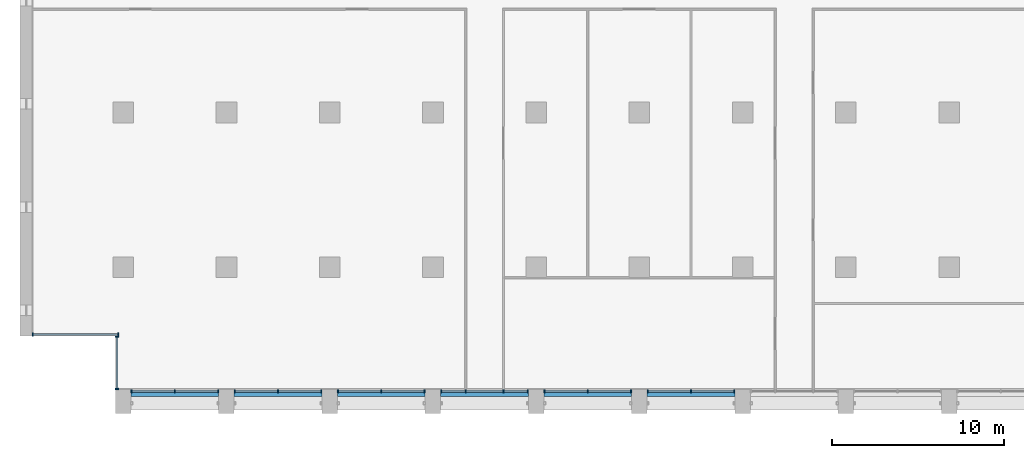
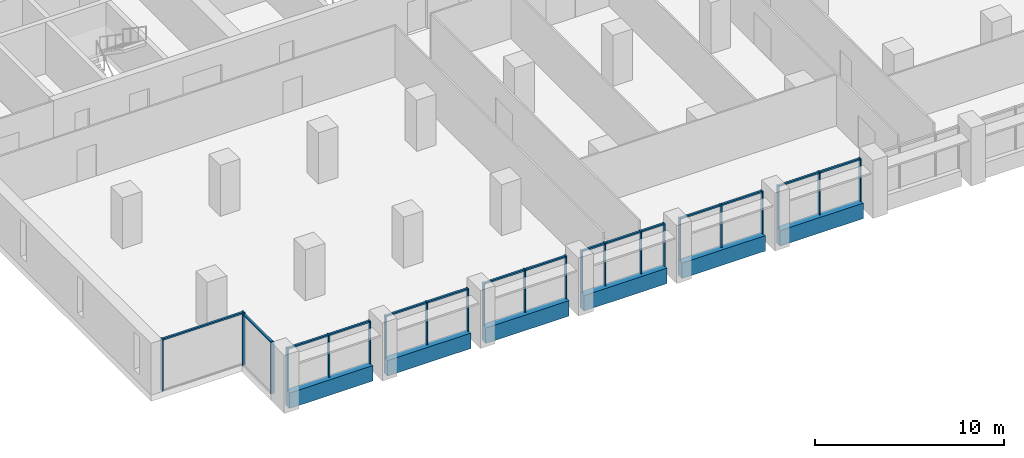
# One storey, part 2 of 15: 38 members, 6 beams, 8 elements without a shape of their own.
"""IFC4 building model written with IfcOpenShell, lengths in metres."""

from ifc_helpers import new_model, si_unit, direction, frame, origin, origin_2d, place, context, subcontext, project, spatial, rectangle, extrude, material, material_profile, profile_set, type_object, element, aggregate, save


model = new_model("IFC4")

# Units and contexts
model_context = context("Model", 3, precision=1e-05, world=origin(), true_north=direction((0.0, 1.0)))
body_context = subcontext(model_context, "Body", "Model", "MODEL_VIEW")
ifc_project = project(units=[si_unit("LENGTHUNIT", "METRE"), si_unit("AREAUNIT", "SQUARE_METRE"), si_unit("VOLUMEUNIT", "CUBIC_METRE"), si_unit("PLANEANGLEUNIT", "RADIAN"), si_unit("MASSUNIT", "GRAM", prefix="KILO")], contexts=[model_context])

# Site, building, storey
site_placement = place(None, origin())
site = spatial("IfcSite", under=ifc_project, at=site_placement, CompositionType="ELEMENT")
building_placement = place(site_placement, origin())
building = spatial("IfcBuilding", under=site, at=building_placement, Name="Calvaro Tower", CompositionType="ELEMENT")
storey_placement = place(building_placement, frame((0.0, 0.0, 151.25)))
storey = spatial("IfcBuildingStorey", under=building, at=storey_placement, Name="L38", CompositionType="ELEMENT", Elevation=151.25)

# Curtain wall, members
ifc_material_1 = material(Name="Anodised aluminium", Category="aluminium")
curtain_wall_type = type_object("IfcCurtainWallType", Name="Office curtain wall, middle zone", PredefinedType="NOTDEFINED", material=ifc_material_1)
curtain_wall_1_placement = place(storey_placement, origin())
curtain_wall_1 = element("IfcCurtainWall", 1, at=curtain_wall_1_placement, inside=storey, type_object=curtain_wall_type, Name="CW2 south curtain wall", PredefinedType="NOTDEFINED")
ifc_material_2 = material(Name="Anodised aluminium", Category="aluminium")
ifc_material_profile_1 = material_profile(ifc_material_2, rectangle(XDim=0.199951171875, YDim=0.070068359375, at=origin_2d()), Name="Mullion S2 70 x 200")
ifc_profile_set_1 = profile_set([ifc_material_profile_1], Name="Anodised aluminium")
member_type_1 = type_object("IfcMemberType", Name="Mullion S2 70 x 200", PredefinedType="MULLION", material=ifc_profile_set_1)
member_1_placement = place(storey_placement, frame((6.485107421875, 2.800048828125, 0.0), z_axis=(0.0, 0.0, 1.0), x_axis=(0.0, 1.0, 0.0)))
member_1 = element("IfcMember", 2, at=member_1_placement, type_object=member_type_1, Name="CW2 mullion 1", PredefinedType="MULLION", context=body_context, shape_type="SweptSolid", body=[
    extrude(rectangle(XDim=0.199951171875, YDim=0.070068359375, at=origin_2d()), origin(), (0.0, 0.0, 1.0), 2.75),
])
member_2_placement = place(storey_placement, frame((9.0, 2.800048828125, 0.0), z_axis=(0.0, 0.0, 1.0), x_axis=(0.0, 1.0, 0.0)))
member_2 = element("IfcMember", 3, at=member_2_placement, type_object=member_type_1, Name="CW2 mullion 2", PredefinedType="MULLION", context=body_context, shape_type="SweptSolid", body=[
    extrude(rectangle(XDim=0.199951171875, YDim=0.070068359375, at=origin_2d()), origin(), (0.0, 0.0, 1.0), 2.75),
])
member_3_placement = place(storey_placement, frame((11.514892578125, 2.800048828125, 0.0), z_axis=(0.0, 0.0, 1.0), x_axis=(0.0, 1.0, 0.0)))
member_3 = element("IfcMember", 4, at=member_3_placement, type_object=member_type_1, Name="CW2 mullion 3", PredefinedType="MULLION", context=body_context, shape_type="SweptSolid", body=[
    extrude(rectangle(XDim=0.199951171875, YDim=0.070068359375, at=origin_2d()), origin(), (0.0, 0.0, 1.0), 2.75),
])

curtain_wall_2_placement = place(storey_placement, origin())
curtain_wall_2 = element("IfcCurtainWall", 5, at=curtain_wall_2_placement, inside=storey, type_object=curtain_wall_type, Name="CW2 south curtain wall", PredefinedType="NOTDEFINED")
member_4_placement = place(storey_placement, frame((12.485107421875, 2.800048828125, 0.0), z_axis=(0.0, 0.0, 1.0), x_axis=(0.0, 1.0, 0.0)))
member_4 = element("IfcMember", 6, at=member_4_placement, type_object=member_type_1, Name="CW2 mullion 1", PredefinedType="MULLION", context=body_context, shape_type="SweptSolid", body=[
    extrude(rectangle(XDim=0.199951171875, YDim=0.070068359375, at=origin_2d()), origin(), (0.0, 0.0, 1.0), 2.75),
])
member_5_placement = place(storey_placement, frame((15.0, 2.800048828125, 0.0), z_axis=(0.0, 0.0, 1.0), x_axis=(0.0, 1.0, 0.0)))
member_5 = element("IfcMember", 7, at=member_5_placement, type_object=member_type_1, Name="CW2 mullion 2", PredefinedType="MULLION", context=body_context, shape_type="SweptSolid", body=[
    extrude(rectangle(XDim=0.199951171875, YDim=0.070068359375, at=origin_2d()), origin(), (0.0, 0.0, 1.0), 2.75),
])
member_6_placement = place(storey_placement, frame((17.514892578125, 2.800048828125, 0.0), z_axis=(0.0, 0.0, 1.0), x_axis=(0.0, 1.0, 0.0)))
member_6 = element("IfcMember", 8, at=member_6_placement, type_object=member_type_1, Name="CW2 mullion 3", PredefinedType="MULLION", context=body_context, shape_type="SweptSolid", body=[
    extrude(rectangle(XDim=0.199951171875, YDim=0.070068359375, at=origin_2d()), origin(), (0.0, 0.0, 1.0), 2.75),
])

curtain_wall_3_placement = place(storey_placement, origin())
curtain_wall_3 = element("IfcCurtainWall", 9, at=curtain_wall_3_placement, inside=storey, type_object=curtain_wall_type, Name="CW2 south curtain wall", PredefinedType="NOTDEFINED")
member_7_placement = place(storey_placement, frame((18.485107421875, 2.800048828125, 0.0), z_axis=(0.0, 0.0, 1.0), x_axis=(0.0, 1.0, 0.0)))
member_7 = element("IfcMember", 10, at=member_7_placement, type_object=member_type_1, Name="CW2 mullion 1", PredefinedType="MULLION", context=body_context, shape_type="SweptSolid", body=[
    extrude(rectangle(XDim=0.199951171875, YDim=0.070068359375, at=origin_2d()), origin(), (0.0, 0.0, 1.0), 2.75),
])
member_8_placement = place(storey_placement, frame((21.0, 2.800048828125, 0.0), z_axis=(0.0, 0.0, 1.0), x_axis=(0.0, 1.0, 0.0)))
member_8 = element("IfcMember", 11, at=member_8_placement, type_object=member_type_1, Name="CW2 mullion 2", PredefinedType="MULLION", context=body_context, shape_type="SweptSolid", body=[
    extrude(rectangle(XDim=0.199951171875, YDim=0.070068359375, at=origin_2d()), origin(), (0.0, 0.0, 1.0), 2.75),
])
member_9_placement = place(storey_placement, frame((23.514892578125, 2.800048828125, 0.0), z_axis=(0.0, 0.0, 1.0), x_axis=(0.0, 1.0, 0.0)))
member_9 = element("IfcMember", 12, at=member_9_placement, type_object=member_type_1, Name="CW2 mullion 3", PredefinedType="MULLION", context=body_context, shape_type="SweptSolid", body=[
    extrude(rectangle(XDim=0.199951171875, YDim=0.070068359375, at=origin_2d()), origin(), (0.0, 0.0, 1.0), 2.75),
])

curtain_wall_4_placement = place(storey_placement, origin())
curtain_wall_4 = element("IfcCurtainWall", 13, at=curtain_wall_4_placement, inside=storey, type_object=curtain_wall_type, Name="CW2 south curtain wall", PredefinedType="NOTDEFINED")
member_10_placement = place(storey_placement, frame((24.485107421875, 2.800048828125, 0.0), z_axis=(0.0, 0.0, 1.0), x_axis=(0.0, 1.0, 0.0)))
member_10 = element("IfcMember", 14, at=member_10_placement, type_object=member_type_1, Name="CW2 mullion 1", PredefinedType="MULLION", context=body_context, shape_type="SweptSolid", body=[
    extrude(rectangle(XDim=0.199951171875, YDim=0.070068359375, at=origin_2d()), origin(), (0.0, 0.0, 1.0), 2.75),
])
member_11_placement = place(storey_placement, frame((25.89990234375, 2.800048828125, 0.0), z_axis=(0.0, 0.0, 1.0), x_axis=(0.0, 1.0, 0.0)))
member_11 = element("IfcMember", 15, at=member_11_placement, type_object=member_type_1, Name="CW2 mullion 2", PredefinedType="MULLION", context=body_context, shape_type="SweptSolid", body=[
    extrude(rectangle(XDim=0.199951171875, YDim=0.070068359375, at=origin_2d()), origin(), (0.0, 0.0, 1.0), 2.75),
])
member_12_placement = place(storey_placement, frame((28.10009765625, 2.800048828125, 0.0), z_axis=(0.0, 0.0, 1.0), x_axis=(0.0, 1.0, 0.0)))
member_12 = element("IfcMember", 16, at=member_12_placement, type_object=member_type_1, Name="CW2 mullion 3", PredefinedType="MULLION", context=body_context, shape_type="SweptSolid", body=[
    extrude(rectangle(XDim=0.199951171875, YDim=0.070068359375, at=origin_2d()), origin(), (0.0, 0.0, 1.0), 2.75),
])
member_13_placement = place(storey_placement, frame((29.514892578125, 2.800048828125, 0.0), z_axis=(0.0, 0.0, 1.0), x_axis=(0.0, 1.0, 0.0)))
member_13 = element("IfcMember", 17, at=member_13_placement, type_object=member_type_1, Name="CW2 mullion 4", PredefinedType="MULLION", context=body_context, shape_type="SweptSolid", body=[
    extrude(rectangle(XDim=0.199951171875, YDim=0.070068359375, at=origin_2d()), origin(), (0.0, 0.0, 1.0), 2.75),
])

curtain_wall_5_placement = place(storey_placement, origin())
curtain_wall_5 = element("IfcCurtainWall", 18, at=curtain_wall_5_placement, inside=storey, type_object=curtain_wall_type, Name="CW2 south curtain wall", PredefinedType="NOTDEFINED")
member_14_placement = place(storey_placement, frame((30.485107421875, 2.800048828125, 0.0), z_axis=(0.0, 0.0, 1.0), x_axis=(0.0, 1.0, 0.0)))
member_14 = element("IfcMember", 19, at=member_14_placement, type_object=member_type_1, Name="CW2 mullion 1", PredefinedType="MULLION", context=body_context, shape_type="SweptSolid", body=[
    extrude(rectangle(XDim=0.199951171875, YDim=0.070068359375, at=origin_2d()), origin(), (0.0, 0.0, 1.0), 2.75),
])
member_15_placement = place(storey_placement, frame((33.0, 2.800048828125, 0.0), z_axis=(0.0, 0.0, 1.0), x_axis=(0.0, 1.0, 0.0)))
member_15 = element("IfcMember", 20, at=member_15_placement, type_object=member_type_1, Name="CW2 mullion 2", PredefinedType="MULLION", context=body_context, shape_type="SweptSolid", body=[
    extrude(rectangle(XDim=0.199951171875, YDim=0.070068359375, at=origin_2d()), origin(), (0.0, 0.0, 1.0), 2.75),
])
member_16_placement = place(storey_placement, frame((35.514892578125, 2.800048828125, 0.0), z_axis=(0.0, 0.0, 1.0), x_axis=(0.0, 1.0, 0.0)))
member_16 = element("IfcMember", 21, at=member_16_placement, type_object=member_type_1, Name="CW2 mullion 3", PredefinedType="MULLION", context=body_context, shape_type="SweptSolid", body=[
    extrude(rectangle(XDim=0.199951171875, YDim=0.070068359375, at=origin_2d()), origin(), (0.0, 0.0, 1.0), 2.75),
])

curtain_wall_6_placement = place(storey_placement, origin())
curtain_wall_6 = element("IfcCurtainWall", 22, at=curtain_wall_6_placement, inside=storey, type_object=curtain_wall_type, Name="CW2 south curtain wall", PredefinedType="NOTDEFINED")
member_17_placement = place(storey_placement, frame((36.485107421875, 2.800048828125, 0.0), z_axis=(0.0, 0.0, 1.0), x_axis=(0.0, 1.0, 0.0)))
member_17 = element("IfcMember", 23, at=member_17_placement, type_object=member_type_1, Name="CW2 mullion 1", PredefinedType="MULLION", context=body_context, shape_type="SweptSolid", body=[
    extrude(rectangle(XDim=0.199951171875, YDim=0.070068359375, at=origin_2d()), origin(), (0.0, 0.0, 1.0), 2.75),
])
member_18_placement = place(storey_placement, frame((39.0, 2.800048828125, 0.0), z_axis=(0.0, 0.0, 1.0), x_axis=(0.0, 1.0, 0.0)))
member_18 = element("IfcMember", 24, at=member_18_placement, type_object=member_type_1, Name="CW2 mullion 2", PredefinedType="MULLION", context=body_context, shape_type="SweptSolid", body=[
    extrude(rectangle(XDim=0.199951171875, YDim=0.070068359375, at=origin_2d()), origin(), (0.0, 0.0, 1.0), 2.75),
])
member_19_placement = place(storey_placement, frame((41.514892578125, 2.800048828125, 0.0), z_axis=(0.0, 0.0, 1.0), x_axis=(0.0, 1.0, 0.0)))
member_19 = element("IfcMember", 25, at=member_19_placement, type_object=member_type_1, Name="CW2 mullion 3", PredefinedType="MULLION", context=body_context, shape_type="SweptSolid", body=[
    extrude(rectangle(XDim=0.199951171875, YDim=0.070068359375, at=origin_2d()), origin(), (0.0, 0.0, 1.0), 2.75),
])

curtain_wall_7_placement = place(storey_placement, origin())
curtain_wall_7 = element("IfcCurtainWall", 26, at=curtain_wall_7_placement, inside=storey, type_object=curtain_wall_type, Name="CW2 corner curtain wall", PredefinedType="NOTDEFINED")
member_20_placement = place(storey_placement, frame((5.64990234375, 2.93505859375, 0.0), z_axis=(0.0, 0.0, 1.0), x_axis=(-1.0, 0.0, 0.0)))
member_20 = element("IfcMember", 27, at=member_20_placement, type_object=member_type_1, Name="CW2 mullion 1", PredefinedType="MULLION", context=body_context, shape_type="SweptSolid", body=[
    extrude(rectangle(XDim=0.199951171875, YDim=0.070068359375, at=origin_2d()), origin(), (0.0, 0.0, 1.0), 3.35009765625),
])
member_21_placement = place(storey_placement, frame((5.64990234375, 5.965087890625, 0.0), z_axis=(0.0, 0.0, 1.0), x_axis=(-1.0, 0.0, 0.0)))
member_21 = element("IfcMember", 28, at=member_21_placement, type_object=member_type_1, Name="CW2 mullion 2", PredefinedType="MULLION", context=body_context, shape_type="SweptSolid", body=[
    extrude(rectangle(XDim=0.199951171875, YDim=0.070068359375, at=origin_2d()), origin(), (0.0, 0.0, 1.0), 3.35009765625),
])

curtain_wall_8_placement = place(storey_placement, origin())
curtain_wall_8 = element("IfcCurtainWall", 29, at=curtain_wall_8_placement, inside=storey, type_object=curtain_wall_type, Name="CW2 corner curtain wall", PredefinedType="NOTDEFINED")
member_22_placement = place(storey_placement, frame((0.735107421875, 6.10009765625, 0.0), z_axis=(0.0, 0.0, 1.0), x_axis=(0.0, 1.0, 0.0)))
member_22 = element("IfcMember", 30, at=member_22_placement, type_object=member_type_1, Name="CW2 mullion 1", PredefinedType="MULLION", context=body_context, shape_type="SweptSolid", body=[
    extrude(rectangle(XDim=0.199951171875, YDim=0.070068359375, at=origin_2d()), origin(), (0.0, 0.0, 1.0), 3.35009765625),
])
member_23_placement = place(storey_placement, frame((5.715087890625, 6.10009765625, 0.0), z_axis=(0.0, 0.0, 1.0), x_axis=(0.0, 1.0, 0.0)))
member_23 = element("IfcMember", 31, at=member_23_placement, type_object=member_type_1, Name="CW2 mullion 2", PredefinedType="MULLION", context=body_context, shape_type="SweptSolid", body=[
    extrude(rectangle(XDim=0.199951171875, YDim=0.070068359375, at=origin_2d()), origin(), (0.0, 0.0, 1.0), 3.35009765625),
])

# Beams
ifc_material_3 = material(Name="Concrete C50/60 precast", Category="concrete")
ifc_material_profile_2 = material_profile(ifc_material_3, rectangle(XDim=0.39990234375, YDim=1.0, at=origin_2d()), Name="RC 400x1000")
ifc_profile_set_2 = profile_set([ifc_material_profile_2], Name="Concrete C50/60 precast")
beam_type = type_object("IfcBeamType", Name="Spandrel beam 400x1000 C50/60", PredefinedType="SPANDREL", material=ifc_profile_set_2)
for number, where, z_axis, x_axis, name in (
    (32, (6.449951171875, 2.699951171875, -0.5), (1.0, 0.0, 0.0), (0.0, 1.0, 0.0), "Spandrel beam"),
    (33, (12.449951171875, 2.699951171875, -0.5), (1.0, 0.0, 0.0), (0.0, 1.0, 0.0), "Spandrel beam"),
    (34, (18.449951171875, 2.699951171875, -0.5), (1.0, 0.0, 0.0), (0.0, 1.0, 0.0), "Spandrel beam"),
    (35, (24.449951171875, 2.699951171875, -0.5), (1.0, 0.0, 0.0), (0.0, 1.0, 0.0), "Spandrel beam"),
    (36, (30.449951171875, 2.699951171875, -0.5), (1.0, 0.0, 0.0), (0.0, 1.0, 0.0), "Spandrel beam"),
    (37, (36.449951171875, 2.699951171875, -0.5), (1.0, 0.0, 0.0), (0.0, 1.0, 0.0), "Spandrel beam"),
):
    element("IfcBeam", number, at=place(storey_placement, frame(where, z_axis=z_axis, x_axis=x_axis)), inside=storey, type_object=beam_type, Name=name, PredefinedType="SPANDREL", context=body_context, shape_type="SweptSolid", body=[
        extrude(rectangle(XDim=0.39990234375, YDim=1.0, at=origin_2d()), origin(), (0.0, 0.0, 1.0), 5.10009765625),
    ])

# Member
ifc_material_4 = material(Name="Anodised aluminium", Category="aluminium")
ifc_material_profile_3 = material_profile(ifc_material_4, rectangle(XDim=0.1201171875, YDim=0.10009765625, at=origin_2d()), Name="Transom S2 100 x 120")
ifc_profile_set_3 = profile_set([ifc_material_profile_3], Name="Anodised aluminium")
member_type_2 = type_object("IfcMemberType", Name="Transom S2 100 x 120", PredefinedType="USERDEFINED", material=ifc_profile_set_3)
member_24_placement = place(storey_placement, frame((6.52001953125, 2.800048828125, 2.699951171875), z_axis=(1.0, 0.0, 0.0), x_axis=(0.0, 1.0, 0.0)))
member_24 = element("IfcMember", 38, at=member_24_placement, type_object=member_type_2, Name="CW2 transom 1.1", ObjectType="TRANSOM", PredefinedType="USERDEFINED", context=body_context, shape_type="SweptSolid", body=[
    extrude(rectangle(XDim=0.1201171875, YDim=0.10009765625, at=origin_2d()), origin(), (0.0, 0.0, 1.0), 2.445068359375),
])

member_25_placement = place(storey_placement, frame((9.034912109375, 2.800048828125, 2.699951171875), z_axis=(1.0, 0.0, 0.0), x_axis=(0.0, 1.0, 0.0)))
member_25 = element("IfcMember", 39, at=member_25_placement, type_object=member_type_2, Name="CW2 transom 2.1", ObjectType="TRANSOM", PredefinedType="USERDEFINED", context=body_context, shape_type="SweptSolid", body=[
    extrude(rectangle(XDim=0.1201171875, YDim=0.10009765625, at=origin_2d()), origin(), (0.0, 0.0, 1.0), 2.445068359375),
])

aggregate(curtain_wall_1, [member_1, member_2, member_3, member_24, member_25])

member_26_placement = place(storey_placement, frame((12.52001953125, 2.800048828125, 2.699951171875), z_axis=(1.0, 0.0, 0.0), x_axis=(0.0, 1.0, 0.0)))
member_26 = element("IfcMember", 40, at=member_26_placement, type_object=member_type_2, Name="CW2 transom 1.1", ObjectType="TRANSOM", PredefinedType="USERDEFINED", context=body_context, shape_type="SweptSolid", body=[
    extrude(rectangle(XDim=0.1201171875, YDim=0.10009765625, at=origin_2d()), origin(), (0.0, 0.0, 1.0), 2.445068359375),
])

member_27_placement = place(storey_placement, frame((15.034912109375, 2.800048828125, 2.699951171875), z_axis=(1.0, 0.0, 0.0), x_axis=(0.0, 1.0, 0.0)))
member_27 = element("IfcMember", 41, at=member_27_placement, type_object=member_type_2, Name="CW2 transom 2.1", ObjectType="TRANSOM", PredefinedType="USERDEFINED", context=body_context, shape_type="SweptSolid", body=[
    extrude(rectangle(XDim=0.1201171875, YDim=0.10009765625, at=origin_2d()), origin(), (0.0, 0.0, 1.0), 2.445068359375),
])

aggregate(curtain_wall_2, [member_4, member_5, member_6, member_26, member_27])

member_28_placement = place(storey_placement, frame((18.52001953125, 2.800048828125, 2.699951171875), z_axis=(1.0, 0.0, 0.0), x_axis=(0.0, 1.0, 0.0)))
member_28 = element("IfcMember", 42, at=member_28_placement, type_object=member_type_2, Name="CW2 transom 1.1", ObjectType="TRANSOM", PredefinedType="USERDEFINED", context=body_context, shape_type="SweptSolid", body=[
    extrude(rectangle(XDim=0.1201171875, YDim=0.10009765625, at=origin_2d()), origin(), (0.0, 0.0, 1.0), 2.445068359375),
])

member_29_placement = place(storey_placement, frame((21.034912109375, 2.800048828125, 2.699951171875), z_axis=(1.0, 0.0, 0.0), x_axis=(0.0, 1.0, 0.0)))
member_29 = element("IfcMember", 43, at=member_29_placement, type_object=member_type_2, Name="CW2 transom 2.1", ObjectType="TRANSOM", PredefinedType="USERDEFINED", context=body_context, shape_type="SweptSolid", body=[
    extrude(rectangle(XDim=0.1201171875, YDim=0.10009765625, at=origin_2d()), origin(), (0.0, 0.0, 1.0), 2.445068359375),
])

aggregate(curtain_wall_3, [member_7, member_8, member_9, member_28, member_29])

member_30_placement = place(storey_placement, frame((24.52001953125, 2.800048828125, 2.699951171875), z_axis=(1.0, 0.0, 0.0), x_axis=(0.0, 1.0, 0.0)))
member_30 = element("IfcMember", 44, at=member_30_placement, type_object=member_type_2, Name="CW2 transom 1.1", ObjectType="TRANSOM", PredefinedType="USERDEFINED", context=body_context, shape_type="SweptSolid", body=[
    extrude(rectangle(XDim=0.1201171875, YDim=0.10009765625, at=origin_2d()), origin(), (0.0, 0.0, 1.0), 1.344970703125),
])

member_31_placement = place(storey_placement, frame((25.93505859375, 2.800048828125, 2.699951171875), z_axis=(1.0, 0.0, 0.0), x_axis=(0.0, 1.0, 0.0)))
member_31 = element("IfcMember", 45, at=member_31_placement, type_object=member_type_2, Name="CW2 transom 2.1", ObjectType="TRANSOM", PredefinedType="USERDEFINED", context=body_context, shape_type="SweptSolid", body=[
    extrude(rectangle(XDim=0.1201171875, YDim=0.10009765625, at=origin_2d()), origin(), (0.0, 0.0, 1.0), 2.1298828125),
])

member_32_placement = place(storey_placement, frame((28.135009765625, 2.800048828125, 2.699951171875), z_axis=(1.0, 0.0, 0.0), x_axis=(0.0, 1.0, 0.0)))
member_32 = element("IfcMember", 46, at=member_32_placement, type_object=member_type_2, Name="CW2 transom 3.1", ObjectType="TRANSOM", PredefinedType="USERDEFINED", context=body_context, shape_type="SweptSolid", body=[
    extrude(rectangle(XDim=0.1201171875, YDim=0.10009765625, at=origin_2d()), origin(), (0.0, 0.0, 1.0), 1.344970703125),
])

aggregate(curtain_wall_4, [member_10, member_11, member_12, member_13, member_30, member_31, member_32])

member_33_placement = place(storey_placement, frame((30.52001953125, 2.800048828125, 2.699951171875), z_axis=(1.0, 0.0, 0.0), x_axis=(0.0, 1.0, 0.0)))
member_33 = element("IfcMember", 47, at=member_33_placement, type_object=member_type_2, Name="CW2 transom 1.1", ObjectType="TRANSOM", PredefinedType="USERDEFINED", context=body_context, shape_type="SweptSolid", body=[
    extrude(rectangle(XDim=0.1201171875, YDim=0.10009765625, at=origin_2d()), origin(), (0.0, 0.0, 1.0), 2.445068359375),
])

member_34_placement = place(storey_placement, frame((33.034912109375, 2.800048828125, 2.699951171875), z_axis=(1.0, 0.0, 0.0), x_axis=(0.0, 1.0, 0.0)))
member_34 = element("IfcMember", 48, at=member_34_placement, type_object=member_type_2, Name="CW2 transom 2.1", ObjectType="TRANSOM", PredefinedType="USERDEFINED", context=body_context, shape_type="SweptSolid", body=[
    extrude(rectangle(XDim=0.1201171875, YDim=0.10009765625, at=origin_2d()), origin(), (0.0, 0.0, 1.0), 2.445068359375),
])

aggregate(curtain_wall_5, [member_14, member_15, member_16, member_33, member_34])

member_35_placement = place(storey_placement, frame((36.52001953125, 2.800048828125, 2.699951171875), z_axis=(1.0, 0.0, 0.0), x_axis=(0.0, 1.0, 0.0)))
member_35 = element("IfcMember", 49, at=member_35_placement, type_object=member_type_2, Name="CW2 transom 1.1", ObjectType="TRANSOM", PredefinedType="USERDEFINED", context=body_context, shape_type="SweptSolid", body=[
    extrude(rectangle(XDim=0.1201171875, YDim=0.10009765625, at=origin_2d()), origin(), (0.0, 0.0, 1.0), 2.445068359375),
])

member_36_placement = place(storey_placement, frame((39.034912109375, 2.800048828125, 2.699951171875), z_axis=(1.0, 0.0, 0.0), x_axis=(0.0, 1.0, 0.0)))
member_36 = element("IfcMember", 50, at=member_36_placement, type_object=member_type_2, Name="CW2 transom 2.1", ObjectType="TRANSOM", PredefinedType="USERDEFINED", context=body_context, shape_type="SweptSolid", body=[
    extrude(rectangle(XDim=0.1201171875, YDim=0.10009765625, at=origin_2d()), origin(), (0.0, 0.0, 1.0), 2.445068359375),
])

aggregate(curtain_wall_6, [member_17, member_18, member_19, member_35, member_36])

member_37_placement = place(storey_placement, frame((5.64990234375, 2.969970703125, 3.300048828125), z_axis=(0.0, 1.0, 0.0), x_axis=(-1.0, 0.0, 0.0)))
member_37 = element("IfcMember", 51, at=member_37_placement, type_object=member_type_2, Name="CW2 transom 1.1", ObjectType="TRANSOM", PredefinedType="USERDEFINED", context=body_context, shape_type="SweptSolid", body=[
    extrude(rectangle(XDim=0.1201171875, YDim=0.10009765625, at=origin_2d()), origin(), (0.0, 0.0, 1.0), 2.9599609375),
])

aggregate(curtain_wall_7, [member_20, member_21, member_37])

member_38_placement = place(storey_placement, frame((0.77001953125, 6.10009765625, 3.300048828125), z_axis=(1.0, 0.0, 0.0), x_axis=(0.0, 1.0, 0.0)))
member_38 = element("IfcMember", 52, at=member_38_placement, type_object=member_type_2, Name="CW2 transom 1.1", ObjectType="TRANSOM", PredefinedType="USERDEFINED", context=body_context, shape_type="SweptSolid", body=[
    extrude(rectangle(XDim=0.1201171875, YDim=0.10009765625, at=origin_2d()), origin(), (0.0, 0.0, 1.0), 4.909912109375),
])

aggregate(curtain_wall_8, [member_22, member_23, member_38])

save(model, "model.ifc")
